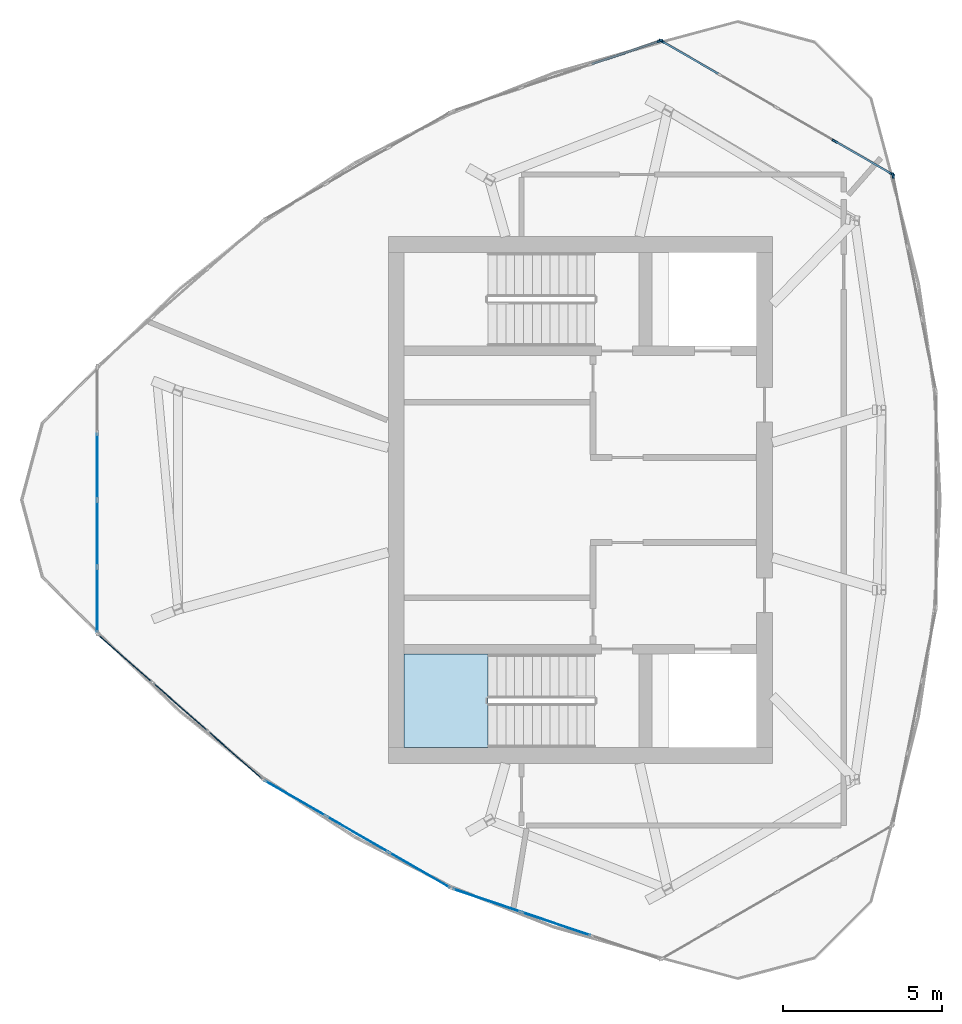
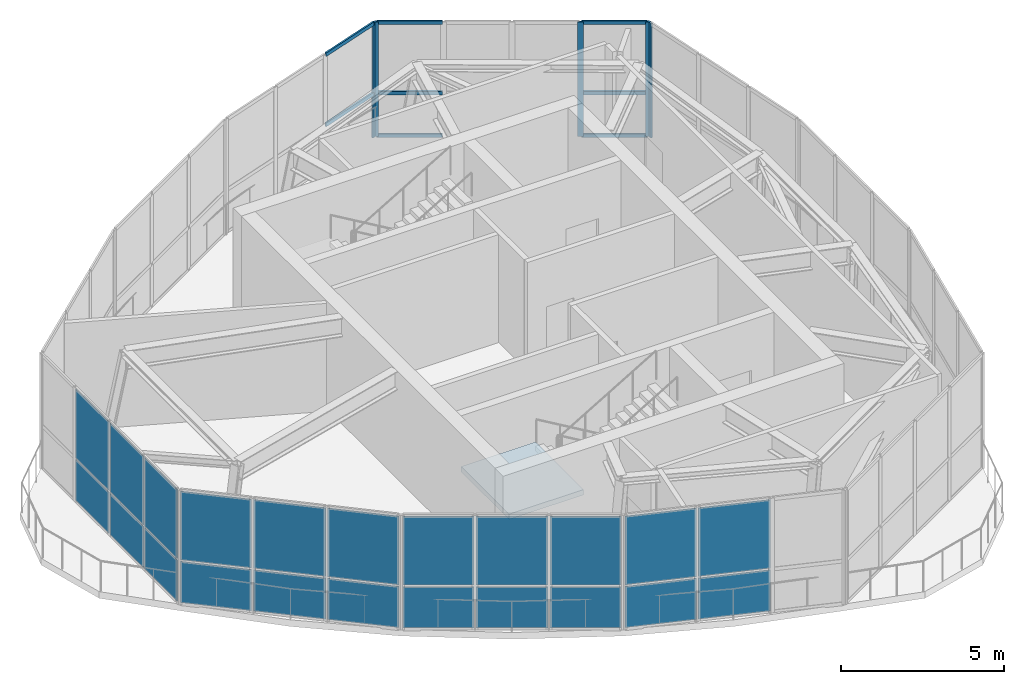
# One storey, part 5 of 10: 22 plates, 13 members, 1 slab, 8 elements without a shape of their own.
"""IFC4 building model written with IfcOpenShell, lengths in metres."""

from ifc_helpers import new_model, si_unit, direction, frame, origin, origin_2d, place, context, subcontext, project, spatial, polyline, rectangle, outline, extrude, source, transform, mapped, material, layer, layer_set, material_profile, profile_set, type_object, element, aggregate, save


model = new_model("IFC4")

# Units and contexts
model_context = context("Model", 3, precision=1e-05, world=origin(), true_north=direction((0.0, 1.0)))
body_context = subcontext(model_context, "Body", "Model", "MODEL_VIEW")
ifc_project = project(units=[si_unit("LENGTHUNIT", "METRE"), si_unit("AREAUNIT", "SQUARE_METRE"), si_unit("VOLUMEUNIT", "CUBIC_METRE"), si_unit("PLANEANGLEUNIT", "RADIAN"), si_unit("MASSUNIT", "GRAM", prefix="KILO")], contexts=[model_context])

# Site, building, storey
site_placement = place(None, origin())
site = spatial("IfcSite", under=ifc_project, at=site_placement, CompositionType="ELEMENT")
building_placement = place(site_placement, origin())
building = spatial("IfcBuilding", under=site, at=building_placement, Name="Qafzar Sky-Pleat Residences", CompositionType="ELEMENT")
storey_placement = place(building_placement, frame((0.0, 0.0, 261.800048828125)))
storey = spatial("IfcBuildingStorey", under=building, at=storey_placement, Name="L78 Crown", CompositionType="ELEMENT", Elevation=261.800048828125)

# Curtain wall, member
ifc_material_1 = material(Name="Anodised bronze aluminium framing", Category="aluminium")
ifc_layer_1 = layer(ifc_material_1, 0.179931640625)
ifc_layer_set_1 = layer_set([ifc_layer_1], Name="Anodised bronze aluminium framing")
curtain_wall_type = type_object("IfcCurtainWallType", Name="CW-SYS-06", PredefinedType="NOTDEFINED", material=ifc_layer_set_1)
curtain_wall_1_placement = place(storey_placement, origin())
curtain_wall_1 = element("IfcCurtainWall", 1, at=curtain_wall_1_placement, inside=storey, type_object=curtain_wall_type, Name="L78 Crown CW-06 Curtain Wall CW-CROWN-03-08", PredefinedType="NOTDEFINED")
ifc_material_2 = material(Name="Anodised bronze aluminium", Category="aluminium")
ifc_material_profile_1 = material_profile(ifc_material_2, rectangle(XDim=0.06005859375, YDim=0.179931640625, at=origin_2d()), Name="ALU MULLION 60x180")
ifc_profile_set_1 = profile_set([ifc_material_profile_1], Name="Anodised bronze aluminium")
member_type_1 = type_object("IfcMemberType", Name="CWM-06", PredefinedType="MULLION", material=ifc_profile_set_1)
shared_shape_1 = source(origin(), body_context, "Body", "SweptSolid", [
    extrude(rectangle(XDim=0.06005859375, YDim=0.179931640625, at=origin_2d()), origin(), (0.0, 0.0, 1.0), 4.300048828125),
])
member_1_placement = place(storey_placement, frame((40.201171875, 36.22314453125, 0.0), z_axis=(0.0, 0.0, 1.0), x_axis=(-0.980581227468, -0.196113376234, 0.0)))
member_1 = element("IfcMember", 2, at=member_1_placement, type_object=member_type_1, Name="CW-06 mullion 4", PredefinedType="MULLION", context=body_context, shape_type="MappedRepresentation", body=[
    mapped(shared_shape_1, transform((0.0, 0.0, 0.0), x_axis=(1.0, 0.0, 0.0), y_axis=(0.0, 1.0, 0.0), z_axis=(0.0, 0.0, 1.0), scale=1.0)),
])
aggregate(curtain_wall_1, [member_1])

# Curtain wall, members
curtain_wall_2_placement = place(storey_placement, origin())
curtain_wall_2 = element("IfcCurtainWall", 3, at=curtain_wall_2_placement, inside=storey, type_object=curtain_wall_type, Name="L78 Crown CW-06 Curtain Wall CW-CROWN-03-09", PredefinedType="NOTDEFINED")
member_2_placement = place(storey_placement, frame((40.16943359375, 36.267578125, 0.0), z_axis=(0.0, 0.0, 1.0), x_axis=(-0.500002153749, -0.866024160313, 0.0)))
member_2 = element("IfcMember", 4, at=member_2_placement, type_object=member_type_1, Name="CW-06 mullion 1", PredefinedType="MULLION", context=body_context, shape_type="MappedRepresentation", body=[
    mapped(shared_shape_1, transform((0.0, 0.0, 0.0), x_axis=(1.0, 0.0, 0.0), y_axis=(0.0, 1.0, 0.0), z_axis=(0.0, 0.0, 1.0), scale=1.0)),
])
member_3_placement = place(storey_placement, frame((38.368408203125, 37.307373046875, 0.0), z_axis=(0.0, 0.0, 1.0), x_axis=(-0.500002153749, -0.866024160313, 0.0)))
member_3 = element("IfcMember", 5, at=member_3_placement, type_object=member_type_1, Name="CW-06 mullion 2", PredefinedType="MULLION", context=body_context, shape_type="MappedRepresentation", body=[
    mapped(shared_shape_1, transform((0.0, 0.0, 0.0), x_axis=(1.0, 0.0, 0.0), y_axis=(0.0, 1.0, 0.0), z_axis=(0.0, 0.0, 1.0), scale=1.0)),
])
member_4_placement = place(storey_placement, frame((32.913330078125, 40.456787109375, 0.0), z_axis=(0.0, 0.0, 1.0), x_axis=(-0.500002153749, -0.866024160313, 0.0)))
member_4 = element("IfcMember", 6, at=member_4_placement, type_object=member_type_1, Name="CW-06 mullion 5", PredefinedType="MULLION", context=body_context, shape_type="MappedRepresentation", body=[
    mapped(shared_shape_1, transform((0.0, 0.0, 0.0), x_axis=(1.0, 0.0, 0.0), y_axis=(0.0, 1.0, 0.0), z_axis=(0.0, 0.0, 1.0), scale=1.0)),
])

# Curtain wall, member
curtain_wall_3_placement = place(storey_placement, origin())
curtain_wall_3 = element("IfcCurtainWall", 7, at=curtain_wall_3_placement, inside=storey, type_object=curtain_wall_type, Name="L78 Crown CW-06 Curtain Wall CW-CROWN-03-10", PredefinedType="NOTDEFINED")
member_5_placement = place(storey_placement, frame((32.85888671875, 40.46240234375, 0.0), z_axis=(0.0, 0.0, 1.0), x_axis=(0.320451017741, -0.947265087095, 0.0)))
member_5 = element("IfcMember", 8, at=member_5_placement, type_object=member_type_1, Name="CW-06 mullion 1", PredefinedType="MULLION", context=body_context, shape_type="MappedRepresentation", body=[
    mapped(shared_shape_1, transform((0.0, 0.0, 0.0), x_axis=(1.0, 0.0, 0.0), y_axis=(0.0, 1.0, 0.0), z_axis=(0.0, 0.0, 1.0), scale=1.0)),
])

# Member
ifc_material_profile_2 = material_profile(ifc_material_2, rectangle(XDim=0.06005859375, YDim=0.135009765625, at=origin_2d()), Name="ALU TRANSOM 60x135")
ifc_profile_set_2 = profile_set([ifc_material_profile_2], Name="Anodised bronze aluminium")
member_type_2 = type_object("IfcMemberType", Name="CWT-06", PredefinedType="USERDEFINED", material=ifc_profile_set_2)
shared_shape_2 = source(origin(), body_context, "Body", "SweptSolid", [
    extrude(rectangle(XDim=0.06005859375, YDim=0.135009765625, at=origin_2d()), origin(), (0.0, 0.0, 1.0), 2.01953125),
])
member_6_placement = place(storey_placement, frame((34.6884765625, 39.43212890625, 0.030029296875), z_axis=(-0.866032592222, 0.499987549055, 0.0), x_axis=(-0.499987549055, -0.866032592222, 0.0)))
member_6 = element("IfcMember", 9, at=member_6_placement, type_object=member_type_2, Name="CW-06 transom 4.1", ObjectType="TRANSOM", PredefinedType="USERDEFINED", context=body_context, shape_type="MappedRepresentation", body=[
    mapped(shared_shape_2, transform((0.0, 0.0, 0.0), x_axis=(1.0, 0.0, 0.0), y_axis=(0.0, 1.0, 0.0), z_axis=(0.0, 0.0, 1.0), scale=1.0)),
])

member_7_placement = place(storey_placement, frame((34.6884765625, 39.43212890625, 1.634033203125), z_axis=(-0.866032592222, 0.499987549055, 0.0), x_axis=(-0.499987549055, -0.866032592222, 0.0)))
member_7 = element("IfcMember", 10, at=member_7_placement, type_object=member_type_2, Name="CW-06 transom 4.2", ObjectType="TRANSOM", PredefinedType="USERDEFINED", context=body_context, shape_type="MappedRepresentation", body=[
    mapped(shared_shape_2, transform((0.0, 0.0, 0.0), x_axis=(1.0, 0.0, 0.0), y_axis=(0.0, 1.0, 0.0), z_axis=(0.0, 0.0, 1.0), scale=1.0)),
])

member_8_placement = place(storey_placement, frame((34.6884765625, 39.43212890625, 4.27001953125), z_axis=(-0.866032592222, 0.499987549055, 0.0), x_axis=(-0.499987549055, -0.866032592222, 0.0)))
member_8 = element("IfcMember", 11, at=member_8_placement, type_object=member_type_2, Name="CW-06 transom 4.3", ObjectType="TRANSOM", PredefinedType="USERDEFINED", context=body_context, shape_type="MappedRepresentation", body=[
    mapped(shared_shape_2, transform((0.0, 0.0, 0.0), x_axis=(1.0, 0.0, 0.0), y_axis=(0.0, 1.0, 0.0), z_axis=(0.0, 0.0, 1.0), scale=1.0)),
])

shared_shape_3 = source(origin(), body_context, "Body", "SweptSolid", [
    extrude(rectangle(XDim=0.06005859375, YDim=0.135009765625, at=origin_2d()), origin(), (0.0, 0.0, 1.0), 2.2333984375),
])
member_9_placement = place(storey_placement, frame((32.83056640625, 40.45263671875, 1.634033203125), z_axis=(-0.947285911391, -0.32038945376, 0.0), x_axis=(0.32038945376, -0.947285911391, 0.0)))
member_9 = element("IfcMember", 12, at=member_9_placement, type_object=member_type_2, Name="CW-06 transom 1.2", ObjectType="TRANSOM", PredefinedType="USERDEFINED", context=body_context, shape_type="MappedRepresentation", body=[
    mapped(shared_shape_3, transform((0.0, 0.0, 0.0), x_axis=(1.0, 0.0, 0.0), y_axis=(0.0, 1.0, 0.0), z_axis=(0.0, 0.0, 1.0), scale=1.0)),
])

member_10_placement = place(storey_placement, frame((32.83056640625, 40.45263671875, 4.27001953125), z_axis=(-0.947285911391, -0.32038945376, 0.0), x_axis=(0.32038945376, -0.947285911391, 0.0)))
member_10 = element("IfcMember", 13, at=member_10_placement, type_object=member_type_2, Name="CW-06 transom 1.3", ObjectType="TRANSOM", PredefinedType="USERDEFINED", context=body_context, shape_type="MappedRepresentation", body=[
    mapped(shared_shape_3, transform((0.0, 0.0, 0.0), x_axis=(1.0, 0.0, 0.0), y_axis=(0.0, 1.0, 0.0), z_axis=(0.0, 0.0, 1.0), scale=1.0)),
])

aggregate(curtain_wall_3, [member_5, member_9, member_10])

shared_shape_4 = source(origin(), body_context, "Body", "SweptSolid", [
    extrude(rectangle(XDim=0.06005859375, YDim=0.135009765625, at=origin_2d()), origin(), (0.0, 0.0, 1.0), 2.019775390625),
])
member_11_placement = place(storey_placement, frame((40.1435546875, 36.28271484375, 0.030029296875), z_axis=(-0.866062807656, 0.499935208997, 0.0), x_axis=(-0.499935208997, -0.866062807656, 0.0)))
member_11 = element("IfcMember", 14, at=member_11_placement, type_object=member_type_2, Name="CW-06 transom 1.1", ObjectType="TRANSOM", PredefinedType="USERDEFINED", context=body_context, shape_type="MappedRepresentation", body=[
    mapped(shared_shape_4, transform((0.0, 0.0, 0.0), x_axis=(1.0, 0.0, 0.0), y_axis=(0.0, 1.0, 0.0), z_axis=(0.0, 0.0, 1.0), scale=1.0)),
])

member_12_placement = place(storey_placement, frame((40.1435546875, 36.28271484375, 1.634033203125), z_axis=(-0.866062807656, 0.499935208997, 0.0), x_axis=(-0.499935208997, -0.866062807656, 0.0)))
member_12 = element("IfcMember", 15, at=member_12_placement, type_object=member_type_2, Name="CW-06 transom 1.2", ObjectType="TRANSOM", PredefinedType="USERDEFINED", context=body_context, shape_type="MappedRepresentation", body=[
    mapped(shared_shape_4, transform((0.0, 0.0, 0.0), x_axis=(1.0, 0.0, 0.0), y_axis=(0.0, 1.0, 0.0), z_axis=(0.0, 0.0, 1.0), scale=1.0)),
])

member_13_placement = place(storey_placement, frame((40.1435546875, 36.28271484375, 4.27001953125), z_axis=(-0.866062807656, 0.499935208997, 0.0), x_axis=(-0.499935208997, -0.866062807656, 0.0)))
member_13 = element("IfcMember", 16, at=member_13_placement, type_object=member_type_2, Name="CW-06 transom 1.3", ObjectType="TRANSOM", PredefinedType="USERDEFINED", context=body_context, shape_type="MappedRepresentation", body=[
    mapped(shared_shape_4, transform((0.0, 0.0, 0.0), x_axis=(1.0, 0.0, 0.0), y_axis=(0.0, 1.0, 0.0), z_axis=(0.0, 0.0, 1.0), scale=1.0)),
])

aggregate(curtain_wall_2, [member_2, member_3, member_4, member_11, member_12, member_13, member_6, member_7, member_8])

# Stair, slab
ifc_material_3 = material(Name="Concrete C40/50", Category="concrete")
stair_type = type_object("IfcStairType", Name="STAIR-H430", PredefinedType="HALF_TURN_STAIR", material=ifc_material_3)
stair_placement = place(storey_placement, origin())
stair = element("IfcStair", 17, at=stair_placement, inside=storey, type_object=stair_type, Name="L78 Crown Protected Exit Stair ST1", PredefinedType="HALF_TURN_STAIR")
ifc_layer_2 = layer(ifc_material_3, 0.199951171875)
ifc_layer_set_2 = layer_set([ifc_layer_2], Name="Concrete C40/50")
slab_type = type_object("IfcSlabType", Name="SLAB-LANDING-200", PredefinedType="LANDING", material=ifc_layer_set_2)
slab_placement = place(storey_placement, frame((0.0, 0.0, 1.949951171875)))
slab = element("IfcSlab", 18, at=slab_placement, type_object=slab_type, Name="ST1 landing 1", PredefinedType="LANDING", context=body_context, shape_type="SweptSolid", body=[
    extrude(outline(polyline([(27.43994140625, 21.14990234375), (24.800048828125, 21.14990234375), (24.800048828125, 18.199951171875), (27.43994140625, 18.199951171875), (27.43994140625, 21.14990234375)])), origin(), (0.0, 0.0, 1.0), 0.199951171875),
])
aggregate(stair, [slab])

# Curtain wall, plates
curtain_wall_4_placement = place(storey_placement, origin())
curtain_wall_4 = element("IfcCurtainWall", 19, at=curtain_wall_4_placement, inside=storey, type_object=curtain_wall_type, Name="L78 Crown CW-06 Curtain Wall CW-CROWN-03-01", PredefinedType="NOTDEFINED")
ifc_material_4 = material(Name="Solar-control double low-E glazing", Category="glass")
ifc_layer_3 = layer(ifc_material_4, 0.02587890625)
ifc_layer_set_3 = layer_set([ifc_layer_3], Name="Solar-control double low-E glazing")
plate_type = type_object("IfcPlateType", Name="CWP-06", PredefinedType="CURTAIN_PANEL", material=ifc_layer_set_3)
shared_shape_5 = source(origin(), body_context, "Body", "SweptSolid", [
    extrude(rectangle(XDim=2.01953125, YDim=0.02587890625, at=origin_2d()), origin(), (0.0, 0.0, 1.0), 1.5439453125),
])
plate_1_placement = place(storey_placement, frame((15.12939453125, 22.8505859375, 0.06005859375), z_axis=(0.0, 0.0, 1.0), x_axis=(0.0, -1.0, 0.0)))
plate_1 = element("IfcPlate", 20, at=plate_1_placement, type_object=plate_type, Name="CW-06 panel 4.1", PredefinedType="CURTAIN_PANEL", context=body_context, shape_type="MappedRepresentation", body=[
    mapped(shared_shape_5, transform((0.0, 0.0, 0.0), x_axis=(1.0, 0.0, 0.0), y_axis=(0.0, 1.0, 0.0), z_axis=(0.0, 0.0, 1.0), scale=1.0)),
])
shared_shape_6 = source(origin(), body_context, "Body", "SweptSolid", [
    extrude(rectangle(XDim=2.01953125, YDim=0.02587890625, at=origin_2d()), origin(), (0.0, 0.0, 1.0), 2.575927734375),
])
plate_2_placement = place(storey_placement, frame((15.12939453125, 22.8505859375, 1.6640625), z_axis=(0.0, 0.0, 1.0), x_axis=(0.0, -1.0, 0.0)))
plate_2 = element("IfcPlate", 21, at=plate_2_placement, type_object=plate_type, Name="CW-06 panel 4.2", PredefinedType="CURTAIN_PANEL", context=body_context, shape_type="MappedRepresentation", body=[
    mapped(shared_shape_6, transform((0.0, 0.0, 0.0), x_axis=(1.0, 0.0, 0.0), y_axis=(0.0, 1.0, 0.0), z_axis=(0.0, 0.0, 1.0), scale=1.0)),
])
shared_shape_7 = source(origin(), body_context, "Body", "SweptSolid", [
    extrude(rectangle(XDim=2.049560546875, YDim=0.02587890625, at=origin_2d()), origin(), (0.0, 0.0, 1.0), 1.5439453125),
])
plate_3_placement = place(storey_placement, frame((15.12939453125, 27.054931640625, 0.06005859375), z_axis=(0.0, 0.0, 1.0), x_axis=(0.0, -1.0, 0.0)))
plate_3 = element("IfcPlate", 22, at=plate_3_placement, type_object=plate_type, Name="CW-06 panel 2.1", PredefinedType="CURTAIN_PANEL", context=body_context, shape_type="MappedRepresentation", body=[
    mapped(shared_shape_7, transform((0.0, 0.0, 0.0), x_axis=(1.0, 0.0, 0.0), y_axis=(0.0, 1.0, 0.0), z_axis=(0.0, 0.0, 1.0), scale=1.0)),
])
plate_4_placement = place(storey_placement, frame((15.12939453125, 24.945068359375, 0.06005859375), z_axis=(0.0, 0.0, 1.0), x_axis=(0.0, -1.0, 0.0)))
plate_4 = element("IfcPlate", 23, at=plate_4_placement, type_object=plate_type, Name="CW-06 panel 3.1", PredefinedType="CURTAIN_PANEL", context=body_context, shape_type="MappedRepresentation", body=[
    mapped(shared_shape_7, transform((0.0, 0.0, 0.0), x_axis=(1.0, 0.0, 0.0), y_axis=(0.0, 1.0, 0.0), z_axis=(0.0, 0.0, 1.0), scale=1.0)),
])
shared_shape_8 = source(origin(), body_context, "Body", "SweptSolid", [
    extrude(rectangle(XDim=2.049560546875, YDim=0.02587890625, at=origin_2d()), origin(), (0.0, 0.0, 1.0), 2.575927734375),
])
plate_5_placement = place(storey_placement, frame((15.12939453125, 27.054931640625, 1.6640625), z_axis=(0.0, 0.0, 1.0), x_axis=(0.0, -1.0, 0.0)))
plate_5 = element("IfcPlate", 24, at=plate_5_placement, type_object=plate_type, Name="CW-06 panel 2.2", PredefinedType="CURTAIN_PANEL", context=body_context, shape_type="MappedRepresentation", body=[
    mapped(shared_shape_8, transform((0.0, 0.0, 0.0), x_axis=(1.0, 0.0, 0.0), y_axis=(0.0, 1.0, 0.0), z_axis=(0.0, 0.0, 1.0), scale=1.0)),
])
plate_6_placement = place(storey_placement, frame((15.12939453125, 24.945068359375, 1.6640625), z_axis=(0.0, 0.0, 1.0), x_axis=(0.0, -1.0, 0.0)))
plate_6 = element("IfcPlate", 25, at=plate_6_placement, type_object=plate_type, Name="CW-06 panel 3.2", PredefinedType="CURTAIN_PANEL", context=body_context, shape_type="MappedRepresentation", body=[
    mapped(shared_shape_8, transform((0.0, 0.0, 0.0), x_axis=(1.0, 0.0, 0.0), y_axis=(0.0, 1.0, 0.0), z_axis=(0.0, 0.0, 1.0), scale=1.0)),
])
aggregate(curtain_wall_4, [plate_3, plate_5, plate_4, plate_6, plate_1, plate_2])

curtain_wall_5_placement = place(storey_placement, origin())
curtain_wall_5 = element("IfcCurtainWall", 26, at=curtain_wall_5_placement, inside=storey, type_object=curtain_wall_type, Name="L78 Crown CW-06 Curtain Wall CW-CROWN-03-02", PredefinedType="NOTDEFINED")
shared_shape_9 = source(origin(), body_context, "Body", "SweptSolid", [
    extrude(rectangle(XDim=2.2333984375, YDim=0.02587890625, at=origin_2d()), origin(), (0.0, 0.0, 1.0), 1.5439453125),
])
plate_7_placement = place(storey_placement, frame((16.01318359375, 21.00390625, 0.06005859375), z_axis=(0.0, 0.0, 1.0), x_axis=(0.751147652812, -0.660134231558, 0.0)))
plate_7 = element("IfcPlate", 27, at=plate_7_placement, type_object=plate_type, Name="CW-06 panel 1.1", PredefinedType="CURTAIN_PANEL", context=body_context, shape_type="MappedRepresentation", body=[
    mapped(shared_shape_9, transform((0.0, 0.0, 0.0), x_axis=(1.0, 0.0, 0.0), y_axis=(0.0, 1.0, 0.0), z_axis=(0.0, 0.0, 1.0), scale=1.0)),
])
plate_8_placement = place(storey_placement, frame((19.481201171875, 17.9560546875, 0.06005859375), z_axis=(0.0, 0.0, 1.0), x_axis=(0.751147652812, -0.660134231558, 0.0)))
plate_8 = element("IfcPlate", 28, at=plate_8_placement, type_object=plate_type, Name="CW-06 panel 3.1", PredefinedType="CURTAIN_PANEL", context=body_context, shape_type="MappedRepresentation", body=[
    mapped(shared_shape_9, transform((0.0, 0.0, 0.0), x_axis=(1.0, 0.0, 0.0), y_axis=(0.0, 1.0, 0.0), z_axis=(0.0, 0.0, 1.0), scale=1.0)),
])

# Curtain wall, plate
curtain_wall_6_placement = place(storey_placement, origin())
curtain_wall_6 = element("IfcCurtainWall", 29, at=curtain_wall_6_placement, inside=storey, type_object=curtain_wall_type, Name="L78 Crown CW-06 Curtain Wall CW-CROWN-03-04", PredefinedType="NOTDEFINED")
plate_9_placement = place(storey_placement, frame((27.399169921875, 13.384765625, 0.06005859375), z_axis=(0.0, 0.0, 1.0), x_axis=(0.947265087095, -0.320451017741, 0.0)))
plate_9 = element("IfcPlate", 30, at=plate_9_placement, type_object=plate_type, Name="CW-06 panel 1.1", PredefinedType="CURTAIN_PANEL", context=body_context, shape_type="MappedRepresentation", body=[
    mapped(shared_shape_9, transform((0.0, 0.0, 0.0), x_axis=(1.0, 0.0, 0.0), y_axis=(0.0, 1.0, 0.0), z_axis=(0.0, 0.0, 1.0), scale=1.0)),
])

# Plate
shared_shape_10 = source(origin(), body_context, "Body", "SweptSolid", [
    extrude(rectangle(XDim=2.2333984375, YDim=0.02587890625, at=origin_2d()), origin(), (0.0, 0.0, 1.0), 2.575927734375),
])
plate_10_placement = place(storey_placement, frame((16.01318359375, 21.00390625, 1.6640625), z_axis=(0.0, 0.0, 1.0), x_axis=(0.751147652812, -0.660134231558, 0.0)))
plate_10 = element("IfcPlate", 31, at=plate_10_placement, type_object=plate_type, Name="CW-06 panel 1.2", PredefinedType="CURTAIN_PANEL", context=body_context, shape_type="MappedRepresentation", body=[
    mapped(shared_shape_10, transform((0.0, 0.0, 0.0), x_axis=(1.0, 0.0, 0.0), y_axis=(0.0, 1.0, 0.0), z_axis=(0.0, 0.0, 1.0), scale=1.0)),
])

plate_11_placement = place(storey_placement, frame((19.481201171875, 17.9560546875, 1.6640625), z_axis=(0.0, 0.0, 1.0), x_axis=(0.751147652812, -0.660134231558, 0.0)))
plate_11 = element("IfcPlate", 32, at=plate_11_placement, type_object=plate_type, Name="CW-06 panel 3.2", PredefinedType="CURTAIN_PANEL", context=body_context, shape_type="MappedRepresentation", body=[
    mapped(shared_shape_10, transform((0.0, 0.0, 0.0), x_axis=(1.0, 0.0, 0.0), y_axis=(0.0, 1.0, 0.0), z_axis=(0.0, 0.0, 1.0), scale=1.0)),
])

plate_12_placement = place(storey_placement, frame((27.399169921875, 13.384765625, 1.6640625), z_axis=(0.0, 0.0, 1.0), x_axis=(0.947265087095, -0.320451017741, 0.0)))
plate_12 = element("IfcPlate", 33, at=plate_12_placement, type_object=plate_type, Name="CW-06 panel 1.2", PredefinedType="CURTAIN_PANEL", context=body_context, shape_type="MappedRepresentation", body=[
    mapped(shared_shape_10, transform((0.0, 0.0, 0.0), x_axis=(1.0, 0.0, 0.0), y_axis=(0.0, 1.0, 0.0), z_axis=(0.0, 0.0, 1.0), scale=1.0)),
])

shared_shape_11 = source(origin(), body_context, "Body", "SweptSolid", [
    extrude(rectangle(XDim=2.263427734375, YDim=0.02587890625, at=origin_2d()), origin(), (0.0, 0.0, 1.0), 1.5439453125),
])
plate_13_placement = place(storey_placement, frame((17.747314453125, 19.47998046875, 0.06005859375), z_axis=(0.0, 0.0, 1.0), x_axis=(0.751147652812, -0.660134231558, 0.0)))
plate_13 = element("IfcPlate", 34, at=plate_13_placement, type_object=plate_type, Name="CW-06 panel 2.1", PredefinedType="CURTAIN_PANEL", context=body_context, shape_type="MappedRepresentation", body=[
    mapped(shared_shape_11, transform((0.0, 0.0, 0.0), x_axis=(1.0, 0.0, 0.0), y_axis=(0.0, 1.0, 0.0), z_axis=(0.0, 0.0, 1.0), scale=1.0)),
])

plate_14_placement = place(storey_placement, frame((29.5859375, 12.64501953125, 0.06005859375), z_axis=(0.0, 0.0, 1.0), x_axis=(0.947265087095, -0.320451017741, 0.0)))
plate_14 = element("IfcPlate", 35, at=plate_14_placement, type_object=plate_type, Name="CW-06 panel 2.1", PredefinedType="CURTAIN_PANEL", context=body_context, shape_type="MappedRepresentation", body=[
    mapped(shared_shape_11, transform((0.0, 0.0, 0.0), x_axis=(1.0, 0.0, 0.0), y_axis=(0.0, 1.0, 0.0), z_axis=(0.0, 0.0, 1.0), scale=1.0)),
])

shared_shape_12 = source(origin(), body_context, "Body", "SweptSolid", [
    extrude(rectangle(XDim=2.263427734375, YDim=0.02587890625, at=origin_2d()), origin(), (0.0, 0.0, 1.0), 2.575927734375),
])
plate_15_placement = place(storey_placement, frame((17.747314453125, 19.47998046875, 1.6640625), z_axis=(0.0, 0.0, 1.0), x_axis=(0.751147652812, -0.660134231558, 0.0)))
plate_15 = element("IfcPlate", 36, at=plate_15_placement, type_object=plate_type, Name="CW-06 panel 2.2", PredefinedType="CURTAIN_PANEL", context=body_context, shape_type="MappedRepresentation", body=[
    mapped(shared_shape_12, transform((0.0, 0.0, 0.0), x_axis=(1.0, 0.0, 0.0), y_axis=(0.0, 1.0, 0.0), z_axis=(0.0, 0.0, 1.0), scale=1.0)),
])

aggregate(curtain_wall_5, [plate_7, plate_10, plate_13, plate_15, plate_8, plate_11])

plate_16_placement = place(storey_placement, frame((29.5859375, 12.64501953125, 1.6640625), z_axis=(0.0, 0.0, 1.0), x_axis=(0.947265087095, -0.320451017741, 0.0)))
plate_16 = element("IfcPlate", 37, at=plate_16_placement, type_object=plate_type, Name="CW-06 panel 2.2", PredefinedType="CURTAIN_PANEL", context=body_context, shape_type="MappedRepresentation", body=[
    mapped(shared_shape_12, transform((0.0, 0.0, 0.0), x_axis=(1.0, 0.0, 0.0), y_axis=(0.0, 1.0, 0.0), z_axis=(0.0, 0.0, 1.0), scale=1.0)),
])

aggregate(curtain_wall_6, [plate_9, plate_12, plate_14, plate_16])

# Curtain wall, plates
curtain_wall_7_placement = place(storey_placement, origin())
curtain_wall_7 = element("IfcCurtainWall", 38, at=curtain_wall_7_placement, inside=storey, type_object=curtain_wall_type, Name="L78 Crown CW-06 Curtain Wall CW-CROWN-03-03", PredefinedType="NOTDEFINED")
shared_shape_13 = source(origin(), body_context, "Body", "SweptSolid", [
    extrude(rectangle(XDim=2.1884765625, YDim=0.02587890625, at=origin_2d()), origin(), (0.0, 0.0, 1.0), 1.5439453125),
])
plate_17_placement = place(storey_placement, frame((21.36474609375, 16.602294921875, 0.06005859375), z_axis=(0.0, 0.0, 1.0), x_axis=(0.866029659913, -0.499992628097, 0.0)))
plate_17 = element("IfcPlate", 39, at=plate_17_placement, type_object=plate_type, Name="CW-06 panel 1.1", PredefinedType="CURTAIN_PANEL", context=body_context, shape_type="MappedRepresentation", body=[
    mapped(shared_shape_13, transform((0.0, 0.0, 0.0), x_axis=(1.0, 0.0, 0.0), y_axis=(0.0, 1.0, 0.0), z_axis=(0.0, 0.0, 1.0), scale=1.0)),
])
plate_18_placement = place(storey_placement, frame((25.284912109375, 14.3388671875, 0.06005859375), z_axis=(0.0, 0.0, 1.0), x_axis=(0.866029659913, -0.499992628097, 0.0)))
plate_18 = element("IfcPlate", 40, at=plate_18_placement, type_object=plate_type, Name="CW-06 panel 3.1", PredefinedType="CURTAIN_PANEL", context=body_context, shape_type="MappedRepresentation", body=[
    mapped(shared_shape_13, transform((0.0, 0.0, 0.0), x_axis=(1.0, 0.0, 0.0), y_axis=(0.0, 1.0, 0.0), z_axis=(0.0, 0.0, 1.0), scale=1.0)),
])
shared_shape_14 = source(origin(), body_context, "Body", "SweptSolid", [
    extrude(rectangle(XDim=2.1884765625, YDim=0.02587890625, at=origin_2d()), origin(), (0.0, 0.0, 1.0), 2.575927734375),
])
plate_19_placement = place(storey_placement, frame((21.36474609375, 16.602294921875, 1.6640625), z_axis=(0.0, 0.0, 1.0), x_axis=(0.866029659913, -0.499992628097, 0.0)))
plate_19 = element("IfcPlate", 41, at=plate_19_placement, type_object=plate_type, Name="CW-06 panel 1.2", PredefinedType="CURTAIN_PANEL", context=body_context, shape_type="MappedRepresentation", body=[
    mapped(shared_shape_14, transform((0.0, 0.0, 0.0), x_axis=(1.0, 0.0, 0.0), y_axis=(0.0, 1.0, 0.0), z_axis=(0.0, 0.0, 1.0), scale=1.0)),
])
plate_20_placement = place(storey_placement, frame((25.284912109375, 14.3388671875, 1.6640625), z_axis=(0.0, 0.0, 1.0), x_axis=(0.866029659913, -0.499992628097, 0.0)))
plate_20 = element("IfcPlate", 42, at=plate_20_placement, type_object=plate_type, Name="CW-06 panel 3.2", PredefinedType="CURTAIN_PANEL", context=body_context, shape_type="MappedRepresentation", body=[
    mapped(shared_shape_14, transform((0.0, 0.0, 0.0), x_axis=(1.0, 0.0, 0.0), y_axis=(0.0, 1.0, 0.0), z_axis=(0.0, 0.0, 1.0), scale=1.0)),
])
shared_shape_15 = source(origin(), body_context, "Body", "SweptSolid", [
    extrude(rectangle(XDim=2.21826171875, YDim=0.02587890625, at=origin_2d()), origin(), (0.0, 0.0, 1.0), 1.5439453125),
])
plate_21_placement = place(storey_placement, frame((23.32470703125, 15.470458984375, 0.06005859375), z_axis=(0.0, 0.0, 1.0), x_axis=(0.866029659913, -0.499992628097, 0.0)))
plate_21 = element("IfcPlate", 43, at=plate_21_placement, type_object=plate_type, Name="CW-06 panel 2.1", PredefinedType="CURTAIN_PANEL", context=body_context, shape_type="MappedRepresentation", body=[
    mapped(shared_shape_15, transform((0.0, 0.0, 0.0), x_axis=(1.0, 0.0, 0.0), y_axis=(0.0, 1.0, 0.0), z_axis=(0.0, 0.0, 1.0), scale=1.0)),
])
shared_shape_16 = source(origin(), body_context, "Body", "SweptSolid", [
    extrude(rectangle(XDim=2.21826171875, YDim=0.02587890625, at=origin_2d()), origin(), (0.0, 0.0, 1.0), 2.575927734375),
])
plate_22_placement = place(storey_placement, frame((23.32470703125, 15.470458984375, 1.6640625), z_axis=(0.0, 0.0, 1.0), x_axis=(0.866029659913, -0.499992628097, 0.0)))
plate_22 = element("IfcPlate", 44, at=plate_22_placement, type_object=plate_type, Name="CW-06 panel 2.2", PredefinedType="CURTAIN_PANEL", context=body_context, shape_type="MappedRepresentation", body=[
    mapped(shared_shape_16, transform((0.0, 0.0, 0.0), x_axis=(1.0, 0.0, 0.0), y_axis=(0.0, 1.0, 0.0), z_axis=(0.0, 0.0, 1.0), scale=1.0)),
])
aggregate(curtain_wall_7, [plate_17, plate_19, plate_21, plate_22, plate_18, plate_20])

save(model, "model.ifc")
